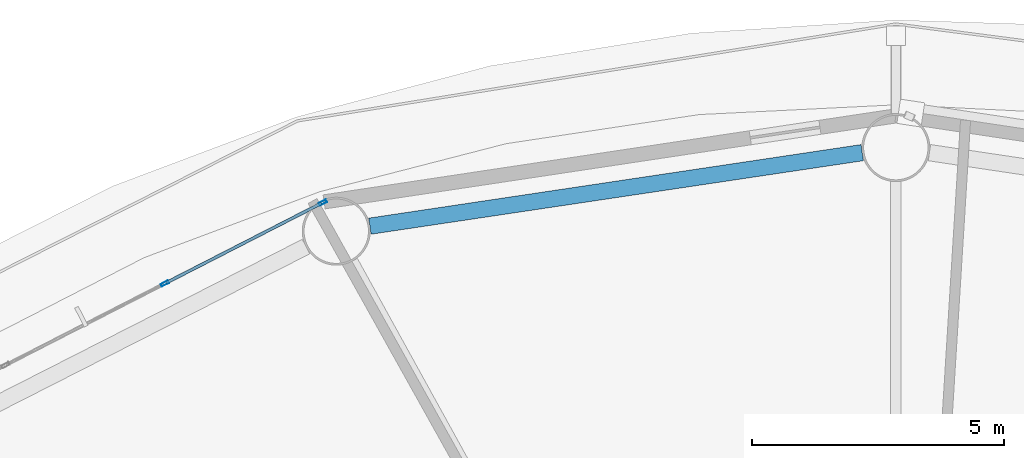
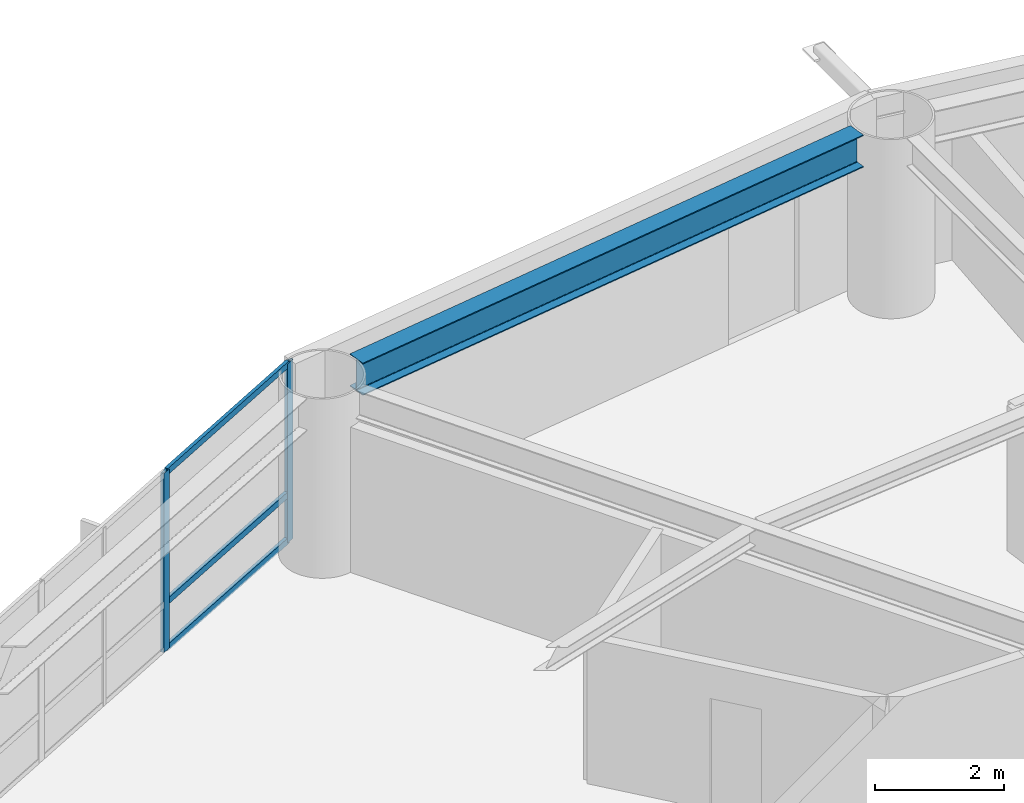
# One storey, part 10 of 24: 5 members, 1 beam, 1 element without a shape of its own.
"""IFC4 building model written with IfcOpenShell, lengths in metres."""

from ifc_helpers import new_model, si_unit, direction, frame, origin, origin_2d, place, context, subcontext, project, spatial, hollow_rectangle, i_section, extrude, material, layer, layer_set, material_profile, profile_set, type_object, element, aggregate, save


model = new_model("IFC4")

# Units and contexts
model_context = context("Model", 3, precision=1e-05, world=origin(), true_north=direction((0.0, 1.0)))
body_context = subcontext(model_context, "Body", "Model", "MODEL_VIEW")
ifc_project = project(units=[si_unit("LENGTHUNIT", "METRE"), si_unit("AREAUNIT", "SQUARE_METRE"), si_unit("VOLUMEUNIT", "CUBIC_METRE"), si_unit("PLANEANGLEUNIT", "RADIAN"), si_unit("MASSUNIT", "GRAM", prefix="KILO")], contexts=[model_context])

# Site, building, storey
site_placement = place(None, origin())
site = spatial("IfcSite", under=ifc_project, at=site_placement, CompositionType="ELEMENT")
building_placement = place(site_placement, origin())
building = spatial("IfcBuilding", under=site, at=building_placement, Name="Sarneth Arch Tower", CompositionType="ELEMENT")
storey_placement = place(building_placement, frame((0.0, 0.0, 127.199951171875)))
storey = spatial("IfcBuildingStorey", under=building, at=storey_placement, Name="L32", CompositionType="ELEMENT", Elevation=127.199951171875)

# Beam
ifc_material_1 = material(Name="Steel S355", Category="steel")
ifc_material_profile_1 = material_profile(ifc_material_1, i_section(OverallWidth=0.323974609375, OverallDepth=0.611083984375, WebThickness=0.0126953125, FlangeThickness=0.01904296875, FilletRadius=0.01904296875, at=origin_2d()), Name="W610x155")
ifc_profile_set_1 = profile_set([ifc_material_profile_1], Name="Steel S355")
beam_type = type_object("IfcBeamType", Name="BM-SPAN-610B", PredefinedType="SPANDREL", material=ifc_profile_set_1)
beam_placement = place(storey_placement, frame((47.33251953125, 63.7001953125, 3.074462890625), z_axis=(-0.989029828744, -0.147715936359, 0.0), x_axis=(0.147715936359, -0.989029828744, 0.0)))
element("IfcBeam", 1, at=beam_placement, inside=storey, type_object=beam_type, Name="L32 Perimeter spandrel beam 05", PredefinedType="SPANDREL", context=body_context, shape_type="SweptSolid", body=[
    extrude(i_section(OverallWidth=0.323974609375, OverallDepth=0.611083984375, WebThickness=0.0126953125, FlangeThickness=0.01904296875, FilletRadius=0.01904296875, at=origin_2d()), origin(), (0.0, 0.0, 1.0), 9.883544921875),
])

# Curtain wall, members
ifc_material_2 = material(Name="Anodised aluminium Type AA25 and solar-control low-e laminated IGU", Category="aluminium")
ifc_layer = layer(ifc_material_2, 0.159912109375)
ifc_layer_set = layer_set([ifc_layer], Name="Anodised aluminium Type AA25 and solar-control low-e laminated IGU")
curtain_wall_type = type_object("IfcCurtainWallType", Name="CW-HOTEL-MID", PredefinedType="NOTDEFINED", material=ifc_layer_set)
curtain_wall_placement = place(storey_placement, origin())
curtain_wall = element("IfcCurtainWall", 2, at=curtain_wall_placement, inside=storey, type_object=curtain_wall_type, Name="L32 Unitised curtain wall facet 06", PredefinedType="NOTDEFINED")
ifc_material_3 = material(Name="Anodised Aluminium 6063-T6", Category="aluminium")
ifc_material_profile_2 = material_profile(ifc_material_3, hollow_rectangle(XDim=0.06005859375, YDim=0.159912109375, WallThickness=0.00390625, at=origin_2d()), Name="AL-MULL-160x60x4")
ifc_profile_set_2 = profile_set([ifc_material_profile_2], Name="Anodised Aluminium 6063-T6")
member_type_1 = type_object("IfcMemberType", Name="CW-MULLION", PredefinedType="MULLION", material=ifc_profile_set_2)
member_1_placement = place(storey_placement, frame((36.6220703125, 62.708984375, 0.0), z_axis=(0.0, 0.0, 1.0), x_axis=(0.456031365356, -0.889963703649, 0.0)))
member_1 = element("IfcMember", 3, at=member_1_placement, type_object=member_type_1, Name="CW-SYS-4 mullion 1", PredefinedType="MULLION", context=body_context, shape_type="SweptSolid", body=[
    extrude(hollow_rectangle(XDim=0.06005859375, YDim=0.159912109375, WallThickness=0.00390625, at=origin_2d()), origin(), (0.0, 0.0, 1.0), 3.380126953125),
])
member_2_placement = place(storey_placement, frame((33.48583984375, 61.101806640625, 0.0), z_axis=(0.0, 0.0, 1.0), x_axis=(0.456031365356, -0.889963703649, 0.0)))
member_2 = element("IfcMember", 4, at=member_2_placement, type_object=member_type_1, Name="CW-SYS-4 mullion 2", PredefinedType="MULLION", context=body_context, shape_type="SweptSolid", body=[
    extrude(hollow_rectangle(XDim=0.06005859375, YDim=0.159912109375, WallThickness=0.00390625, at=origin_2d()), origin(), (0.0, 0.0, 1.0), 3.380126953125),
])
ifc_material_4 = material(Name="Anodised Aluminium 6063-T6", Category="aluminium")
ifc_material_profile_3 = material_profile(ifc_material_4, hollow_rectangle(XDim=0.06005859375, YDim=0.1201171875, WallThickness=0.00390625, at=origin_2d()), Name="AL-TRAN-120x60x4")
ifc_profile_set_3 = profile_set([ifc_material_profile_3], Name="Anodised Aluminium 6063-T6")
member_type_2 = type_object("IfcMemberType", Name="CW-TRANSOM", PredefinedType="USERDEFINED", material=ifc_profile_set_3)
member_3_placement = place(storey_placement, frame((36.595458984375, 62.6953125, 0.030029296875), z_axis=(-0.889957563627, -0.456043347658, 0.0), x_axis=(0.456043347658, -0.889957563627, 0.0)))
member_3 = element("IfcMember", 5, at=member_3_placement, type_object=member_type_2, Name="CW-SYS-4 transom 1.1", ObjectType="TRANSOM", PredefinedType="USERDEFINED", context=body_context, shape_type="SweptSolid", body=[
    extrude(hollow_rectangle(XDim=0.06005859375, YDim=0.1201171875, WallThickness=0.00390625, at=origin_2d()), origin(), (0.0, 0.0, 1.0), 3.464111328125),
])
member_4_placement = place(storey_placement, frame((36.595458984375, 62.6953125, 0.900146484375), z_axis=(-0.889957563627, -0.456043347658, 0.0), x_axis=(0.456043347658, -0.889957563627, 0.0)))
member_4 = element("IfcMember", 6, at=member_4_placement, type_object=member_type_2, Name="CW-SYS-4 transom 1.2", ObjectType="TRANSOM", PredefinedType="USERDEFINED", context=body_context, shape_type="SweptSolid", body=[
    extrude(hollow_rectangle(XDim=0.06005859375, YDim=0.1201171875, WallThickness=0.00390625, at=origin_2d()), origin(), (0.0, 0.0, 1.0), 3.464111328125),
])
member_5_placement = place(storey_placement, frame((36.595458984375, 62.6953125, 3.35009765625), z_axis=(-0.889957563627, -0.456043347658, 0.0), x_axis=(0.456043347658, -0.889957563627, 0.0)))
member_5 = element("IfcMember", 7, at=member_5_placement, type_object=member_type_2, Name="CW-SYS-4 transom 1.3", ObjectType="TRANSOM", PredefinedType="USERDEFINED", context=body_context, shape_type="SweptSolid", body=[
    extrude(hollow_rectangle(XDim=0.06005859375, YDim=0.1201171875, WallThickness=0.00390625, at=origin_2d()), origin(), (0.0, 0.0, 1.0), 3.464111328125),
])
aggregate(curtain_wall, [member_1, member_2, member_3, member_4, member_5])

save(model, "model.ifc")
